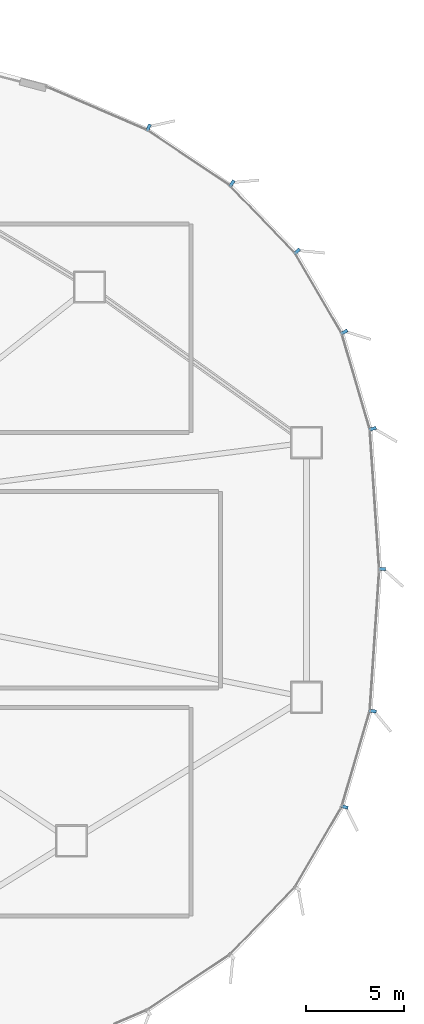
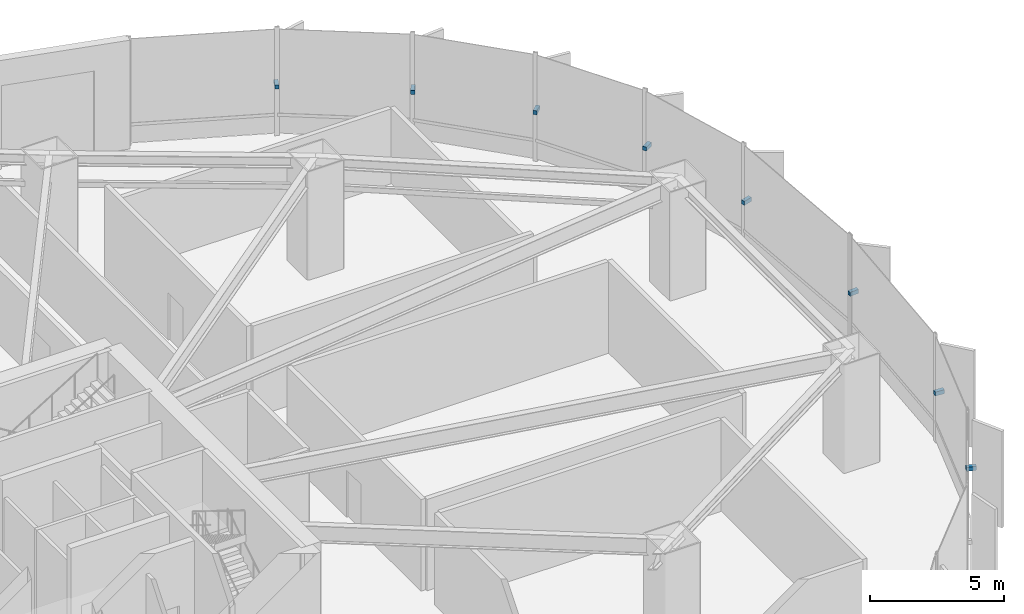
# One storey, part 28 of 35: 8 discrete accessories.
"""IFC4 building model written with IfcOpenShell, lengths in metres."""

from ifc_helpers import new_model, si_unit, direction, frame, origin, origin_2d, place, context, subcontext, project, spatial, rectangle, extrude, source, transform, mapped, material, type_object, element, save


model = new_model("IFC4")

# Units and contexts
model_context = context("Model", 3, precision=1e-05, world=origin(), true_north=direction((0.0, 1.0)))
body_context = subcontext(model_context, "Body", "Model", "MODEL_VIEW")
ifc_project = project(units=[si_unit("LENGTHUNIT", "METRE"), si_unit("AREAUNIT", "SQUARE_METRE"), si_unit("VOLUMEUNIT", "CUBIC_METRE"), si_unit("PLANEANGLEUNIT", "RADIAN"), si_unit("MASSUNIT", "GRAM", prefix="KILO"), si_unit("THERMODYNAMICTEMPERATUREUNIT", "KELVIN")], contexts=[model_context])

# Site, building, storey
site_placement = place(None, origin())
site = spatial("IfcSite", under=ifc_project, at=site_placement, CompositionType="ELEMENT")
building_placement = place(site_placement, origin())
building = spatial("IfcBuilding", under=site, at=building_placement, Name="Kethvar Cultural Tower", CompositionType="ELEMENT")
storey_placement = place(building_placement, origin())
storey = spatial("IfcBuildingStorey", under=building, at=storey_placement, Name="L00", CompositionType="ELEMENT", Elevation=0.0)

# Discrete accessories
ifc_material = material(Name="Steel S355J2", Category="steel")
discrete_accessory_type = type_object("IfcDiscreteAccessoryType", Name="Steel Fin Bracket BRK-01", PredefinedType="BRACKET", material=ifc_material)
shared_shape = source(origin(), body_context, "Body", "SweptSolid", [
    extrude(rectangle(XDim=0.3798828125, YDim=0.159912109375, at=origin_2d()), origin(), (0.0, 0.0, 1.0), 0.179931640625),
])
for number, where, z_axis, x_axis, name in (
    (1, (83.206787109375, 27.849365234375, 2.1298828125), (0.0, 0.0, 1.0), (0.997754957227, 0.066970481029, 0.0), "L00 Terracotta Fin Bracket 1.1"),
    (2, (82.727294921875, 34.9814453125, 2.1298828125), (0.0, 0.0, 1.0), (0.959510852267, 0.281671660596, 0.0), "L00 Terracotta Fin Bracket 1.2"),
    (3, (81.28369140625, 39.896728515625, 2.1298828125), (0.0, 0.0, 1.0), (0.864011302865, 0.503472410885, 0.0), "L00 Terracotta Fin Bracket 1.3"),
    (4, (78.8916015625, 44.000732421875, 2.1298828125), (0.0, 0.0, 1.0), (0.72055111168, 0.693401828276, 0.0), "L00 Terracotta Fin Bracket 1.4"),
    (5, (75.568603515625, 47.4541015625, 2.1298828125), (0.0, 0.0, 1.0), (0.556585649903, 0.83079023485, 0.0), "L00 Terracotta Fin Bracket 1.5"),
    (6, (71.330322265625, 50.293212890625, 2.1298828125), (0.0, 0.0, 1.0), (0.396346847517, 0.9181008531, 0.0), "L00 Terracotta Fin Bracket 1.6"),
    (7, (81.29833984375, 15.752197265625, 2.1298828125), (0.0, 0.0, 1.0), (0.959510852267, -0.281671660596, 0.0), "L00 Terracotta Fin Bracket 5.1"),
    (8, (82.727783203125, 20.62060546875, 2.1298828125), (0.0, 0.0, 1.0), (0.997754957227, -0.066970481029, 0.0), "L00 Terracotta Fin Bracket 5.2"),
):
    element("IfcDiscreteAccessory", number, at=place(storey_placement, frame(where, z_axis=z_axis, x_axis=x_axis)), inside=storey, type_object=discrete_accessory_type, Name=name, PredefinedType="BRACKET", context=body_context, shape_type="MappedRepresentation", body=[
        mapped(shared_shape, transform((0.0, 0.0, 0.0), scale=1.0)),
    ])

save(model, "model.ifc")
